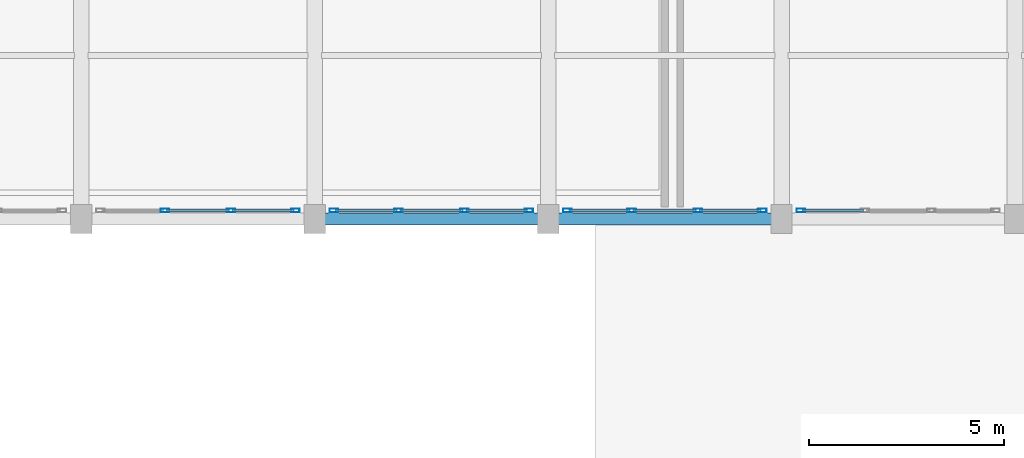
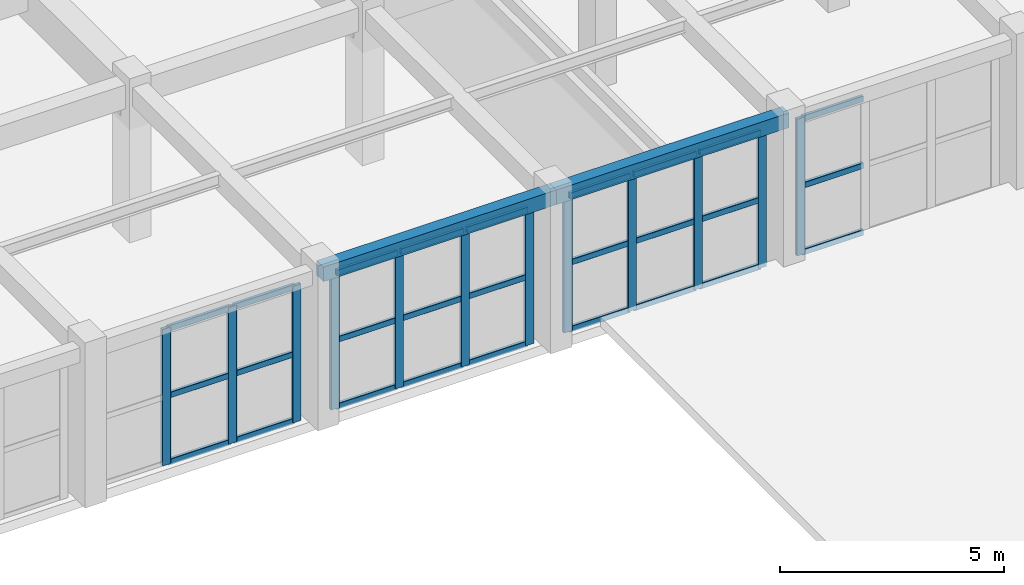
# One storey, part 45 of 92: 39 members, 2 beams, 4 elements without a shape of their own.
"""IFC4 building model written with IfcOpenShell, lengths in metres."""

from ifc_helpers import new_model, si_unit, direction, frame, origin, origin_2d, place, context, subcontext, project, spatial, rectangle, hollow_rectangle, extrude, material, layer, layer_set, material_profile, profile_set, type_object, element, aggregate, save


model = new_model("IFC4")

# Units and contexts
model_context = context("Model", 3, precision=1e-05, world=origin(), true_north=direction((0.0, 1.0)))
body_context = subcontext(model_context, "Body", "Model", "MODEL_VIEW")
ifc_project = project(units=[si_unit("LENGTHUNIT", "METRE"), si_unit("AREAUNIT", "SQUARE_METRE"), si_unit("VOLUMEUNIT", "CUBIC_METRE"), si_unit("PLANEANGLEUNIT", "RADIAN"), si_unit("MASSUNIT", "GRAM", prefix="KILO")], contexts=[model_context])

# Site, building, storey
site_placement = place(None, origin())
site = spatial("IfcSite", under=ifc_project, at=site_placement, CompositionType="ELEMENT")
building_placement = place(site_placement, origin())
building = spatial("IfcBuilding", under=site, at=building_placement, Name="Tarnavel Promenade Courthouse", CompositionType="ELEMENT")
storey_placement = place(building_placement, frame((0.0, 0.0, 5.39990234375)))
storey = spatial("IfcBuildingStorey", under=building, at=storey_placement, Name="L02", CompositionType="ELEMENT", Elevation=5.39990234375)

# Beams
ifc_material_1 = material(Name="Concrete C40/50", Category="concrete")
ifc_material_profile_1 = material_profile(ifc_material_1, rectangle(XDim=0.300048828125, YDim=0.39990234375, at=origin_2d()), Name="RC 300x400")
ifc_profile_set_1 = profile_set([ifc_material_profile_1], Name="Concrete C40/50")
beam_type = type_object("IfcBeamType", Name="Concrete C40/50 BM-SP-300x400 (RC 300x400)", PredefinedType="SPANDREL", material=ifc_profile_set_1)
for number, where, z_axis, x_axis, name in (
    (1, (132.0, 28.800048828125, 4.03515625), (1.0, 0.0, 0.0), (0.0, 1.0, 0.0), "L02 Primary Longitudinal Beam 1083"),
    (2, (138.0, 28.800048828125, 4.03515625), (1.0, 0.0, 0.0), (0.0, 1.0, 0.0), "L02 Primary Longitudinal Beam 1084"),
):
    element("IfcBeam", number, at=place(storey_placement, frame(where, z_axis=z_axis, x_axis=x_axis)), inside=storey, type_object=beam_type, Name=name, PredefinedType="SPANDREL", context=body_context, shape_type="SweptSolid", body=[
        extrude(rectangle(XDim=0.300048828125, YDim=0.39990234375, at=origin_2d()), origin(), (0.0, 0.0, 1.0), 6.0),
    ])

# Curtain wall, members
ifc_material_2 = material(Name="Thermally Broken Anodised Aluminium Curtain Wall System", Category="aluminium")
ifc_layer = layer(ifc_material_2, 0.199951171875)
ifc_layer_set = layer_set([ifc_layer], Name="Thermally Broken Anodised Aluminium Curtain Wall System")
curtain_wall_type = type_object("IfcCurtainWallType", Name="Thermally Broken Aluminium Triple-Glazed Curtain Wall CW-FOYER", PredefinedType="NOTDEFINED", material=ifc_layer_set)
curtain_wall_1_placement = place(storey_placement, origin())
curtain_wall_1 = element("IfcCurtainWall", 3, at=curtain_wall_1_placement, inside=storey, type_object=curtain_wall_type, Name="L02 Ceremonial Cloister Curtain Wall 168", PredefinedType="NOTDEFINED")
ifc_material_3 = material(Name="Thermally Broken Anodised Aluminium Frame", Category="aluminium")
ifc_material_profile_2 = material_profile(ifc_material_3, hollow_rectangle(XDim=0.090087890625, YDim=0.219970703125, WallThickness=0.0048828125, InnerFilletRadius=0.0048828125, OuterFilletRadius=0.010009765625, at=origin_2d()), Name="CWM 220x90x5")
ifc_profile_set_2 = profile_set([ifc_material_profile_2], Name="Thermally Broken Anodised Aluminium Frame")
member_type_1 = type_object("IfcMemberType", Name="Thermally Broken Anodised Aluminium CWM-175 (CWM 220x90x5)", PredefinedType="MULLION", material=ifc_profile_set_2)
member_1_placement = place(storey_placement, frame((128.14990234375, 29.02001953125, 0.0), z_axis=(0.0, 0.0, 1.0), x_axis=(0.0, 1.0, 0.0)))
member_1 = element("IfcMember", 4, at=member_1_placement, type_object=member_type_1, Name="CW-04 mullion 2", PredefinedType="MULLION", context=body_context, shape_type="SweptSolid", body=[
    extrude(hollow_rectangle(XDim=0.090087890625, YDim=0.219970703125, WallThickness=0.0048828125, InnerFilletRadius=0.0048828125, OuterFilletRadius=0.010009765625, at=origin_2d()), origin(), (0.0, 0.0, 1.0), 3.72021484375),
])
member_2_placement = place(storey_placement, frame((129.85009765625, 29.02001953125, 0.0), z_axis=(0.0, 0.0, 1.0), x_axis=(0.0, 1.0, 0.0)))
member_2 = element("IfcMember", 5, at=member_2_placement, type_object=member_type_1, Name="CW-04 mullion 3", PredefinedType="MULLION", context=body_context, shape_type="SweptSolid", body=[
    extrude(hollow_rectangle(XDim=0.090087890625, YDim=0.219970703125, WallThickness=0.0048828125, InnerFilletRadius=0.0048828125, OuterFilletRadius=0.010009765625, at=origin_2d()), origin(), (0.0, 0.0, 1.0), 3.72021484375),
])
member_3_placement = place(storey_placement, frame((131.5048828125, 29.02001953125, 0.0), z_axis=(0.0, 0.0, 1.0), x_axis=(0.0, 1.0, 0.0)))
member_3 = element("IfcMember", 6, at=member_3_placement, type_object=member_type_1, Name="CW-04 mullion 4", PredefinedType="MULLION", context=body_context, shape_type="SweptSolid", body=[
    extrude(hollow_rectangle(XDim=0.090087890625, YDim=0.219970703125, WallThickness=0.0048828125, InnerFilletRadius=0.0048828125, OuterFilletRadius=0.010009765625, at=origin_2d()), origin(), (0.0, 0.0, 1.0), 3.72021484375),
])

curtain_wall_2_placement = place(storey_placement, origin())
curtain_wall_2 = element("IfcCurtainWall", 7, at=curtain_wall_2_placement, inside=storey, type_object=curtain_wall_type, Name="L02 Ceremonial Cloister Curtain Wall 169", PredefinedType="NOTDEFINED")
member_4_placement = place(storey_placement, frame((132.4951171875, 29.02001953125, 0.0), z_axis=(0.0, 0.0, 1.0), x_axis=(0.0, 1.0, 0.0)))
member_4 = element("IfcMember", 8, at=member_4_placement, type_object=member_type_1, Name="CW-04 mullion 1", PredefinedType="MULLION", context=body_context, shape_type="SweptSolid", body=[
    extrude(hollow_rectangle(XDim=0.090087890625, YDim=0.219970703125, WallThickness=0.0048828125, InnerFilletRadius=0.0048828125, OuterFilletRadius=0.010009765625, at=origin_2d()), origin(), (0.0, 0.0, 1.0), 3.72021484375),
])
member_5_placement = place(storey_placement, frame((134.14990234375, 29.02001953125, 0.0), z_axis=(0.0, 0.0, 1.0), x_axis=(0.0, 1.0, 0.0)))
member_5 = element("IfcMember", 9, at=member_5_placement, type_object=member_type_1, Name="CW-04 mullion 2", PredefinedType="MULLION", context=body_context, shape_type="SweptSolid", body=[
    extrude(hollow_rectangle(XDim=0.090087890625, YDim=0.219970703125, WallThickness=0.0048828125, InnerFilletRadius=0.0048828125, OuterFilletRadius=0.010009765625, at=origin_2d()), origin(), (0.0, 0.0, 1.0), 3.72021484375),
])
member_6_placement = place(storey_placement, frame((135.85009765625, 29.02001953125, 0.0), z_axis=(0.0, 0.0, 1.0), x_axis=(0.0, 1.0, 0.0)))
member_6 = element("IfcMember", 10, at=member_6_placement, type_object=member_type_1, Name="CW-04 mullion 3", PredefinedType="MULLION", context=body_context, shape_type="SweptSolid", body=[
    extrude(hollow_rectangle(XDim=0.090087890625, YDim=0.219970703125, WallThickness=0.0048828125, InnerFilletRadius=0.0048828125, OuterFilletRadius=0.010009765625, at=origin_2d()), origin(), (0.0, 0.0, 1.0), 3.72021484375),
])
member_7_placement = place(storey_placement, frame((137.5048828125, 29.02001953125, 0.0), z_axis=(0.0, 0.0, 1.0), x_axis=(0.0, 1.0, 0.0)))
member_7 = element("IfcMember", 11, at=member_7_placement, type_object=member_type_1, Name="CW-04 mullion 4", PredefinedType="MULLION", context=body_context, shape_type="SweptSolid", body=[
    extrude(hollow_rectangle(XDim=0.090087890625, YDim=0.219970703125, WallThickness=0.0048828125, InnerFilletRadius=0.0048828125, OuterFilletRadius=0.010009765625, at=origin_2d()), origin(), (0.0, 0.0, 1.0), 3.72021484375),
])

curtain_wall_3_placement = place(storey_placement, origin())
curtain_wall_3 = element("IfcCurtainWall", 12, at=curtain_wall_3_placement, inside=storey, type_object=curtain_wall_type, Name="L02 Ceremonial Cloister Curtain Wall 170", PredefinedType="NOTDEFINED")
member_8_placement = place(storey_placement, frame((138.4951171875, 29.02001953125, 0.0), z_axis=(0.0, 0.0, 1.0), x_axis=(0.0, 1.0, 0.0)))
member_8 = element("IfcMember", 13, at=member_8_placement, type_object=member_type_1, Name="CW-04 mullion 1", PredefinedType="MULLION", context=body_context, shape_type="SweptSolid", body=[
    extrude(hollow_rectangle(XDim=0.090087890625, YDim=0.219970703125, WallThickness=0.0048828125, InnerFilletRadius=0.0048828125, OuterFilletRadius=0.010009765625, at=origin_2d()), origin(), (0.0, 0.0, 1.0), 3.72021484375),
])
member_9_placement = place(storey_placement, frame((140.14990234375, 29.02001953125, 0.0), z_axis=(0.0, 0.0, 1.0), x_axis=(0.0, 1.0, 0.0)))
member_9 = element("IfcMember", 14, at=member_9_placement, type_object=member_type_1, Name="CW-04 mullion 2", PredefinedType="MULLION", context=body_context, shape_type="SweptSolid", body=[
    extrude(hollow_rectangle(XDim=0.090087890625, YDim=0.219970703125, WallThickness=0.0048828125, InnerFilletRadius=0.0048828125, OuterFilletRadius=0.010009765625, at=origin_2d()), origin(), (0.0, 0.0, 1.0), 3.72021484375),
])
member_10_placement = place(storey_placement, frame((141.85009765625, 29.02001953125, 0.0), z_axis=(0.0, 0.0, 1.0), x_axis=(0.0, 1.0, 0.0)))
member_10 = element("IfcMember", 15, at=member_10_placement, type_object=member_type_1, Name="CW-04 mullion 3", PredefinedType="MULLION", context=body_context, shape_type="SweptSolid", body=[
    extrude(hollow_rectangle(XDim=0.090087890625, YDim=0.219970703125, WallThickness=0.0048828125, InnerFilletRadius=0.0048828125, OuterFilletRadius=0.010009765625, at=origin_2d()), origin(), (0.0, 0.0, 1.0), 3.72021484375),
])
member_11_placement = place(storey_placement, frame((143.5048828125, 29.02001953125, 0.0), z_axis=(0.0, 0.0, 1.0), x_axis=(0.0, 1.0, 0.0)))
member_11 = element("IfcMember", 16, at=member_11_placement, type_object=member_type_1, Name="CW-04 mullion 4", PredefinedType="MULLION", context=body_context, shape_type="SweptSolid", body=[
    extrude(hollow_rectangle(XDim=0.090087890625, YDim=0.219970703125, WallThickness=0.0048828125, InnerFilletRadius=0.0048828125, OuterFilletRadius=0.010009765625, at=origin_2d()), origin(), (0.0, 0.0, 1.0), 3.72021484375),
])

# Curtain wall, member
curtain_wall_4_placement = place(storey_placement, origin())
curtain_wall_4 = element("IfcCurtainWall", 17, at=curtain_wall_4_placement, inside=storey, type_object=curtain_wall_type, Name="L02 Ceremonial Cloister Curtain Wall 171", PredefinedType="NOTDEFINED")
member_12_placement = place(storey_placement, frame((144.4951171875, 29.02001953125, 0.0), z_axis=(0.0, 0.0, 1.0), x_axis=(0.0, 1.0, 0.0)))
member_12 = element("IfcMember", 18, at=member_12_placement, type_object=member_type_1, Name="CW-04 mullion 1", PredefinedType="MULLION", context=body_context, shape_type="SweptSolid", body=[
    extrude(hollow_rectangle(XDim=0.090087890625, YDim=0.219970703125, WallThickness=0.0048828125, InnerFilletRadius=0.0048828125, OuterFilletRadius=0.010009765625, at=origin_2d()), origin(), (0.0, 0.0, 1.0), 3.72021484375),
])

# Member
ifc_material_profile_3 = material_profile(ifc_material_3, hollow_rectangle(XDim=0.080078125, YDim=0.159912109375, WallThickness=0.0048828125, InnerFilletRadius=0.0048828125, OuterFilletRadius=0.010009765625, at=origin_2d()), Name="CWT 160x80x5")
ifc_profile_set_3 = profile_set([ifc_material_profile_3], Name="Thermally Broken Anodised Aluminium Frame")
member_type_2 = type_object("IfcMemberType", Name="Thermally Broken Anodised Aluminium CWT-145 (CWT 160x80x5)", PredefinedType="USERDEFINED", material=ifc_profile_set_3)
member_13_placement = place(storey_placement, frame((128.195068359375, 29.02001953125, 0.0400390625), z_axis=(1.0, 0.0, 0.0), x_axis=(0.0, 1.0, 0.0)))
member_13 = element("IfcMember", 19, at=member_13_placement, type_object=member_type_2, Name="CW-04 transom 2.1", ObjectType="TRANSOM", PredefinedType="USERDEFINED", context=body_context, shape_type="SweptSolid", body=[
    extrude(hollow_rectangle(XDim=0.080078125, YDim=0.159912109375, WallThickness=0.0048828125, InnerFilletRadius=0.0048828125, OuterFilletRadius=0.010009765625, at=origin_2d()), origin(), (0.0, 0.0, 1.0), 1.60986328125),
])

member_14_placement = place(storey_placement, frame((128.195068359375, 29.02001953125, 1.860107421875), z_axis=(1.0, 0.0, 0.0), x_axis=(0.0, 1.0, 0.0)))
member_14 = element("IfcMember", 20, at=member_14_placement, type_object=member_type_2, Name="CW-04 transom 2.2", ObjectType="TRANSOM", PredefinedType="USERDEFINED", context=body_context, shape_type="SweptSolid", body=[
    extrude(hollow_rectangle(XDim=0.080078125, YDim=0.159912109375, WallThickness=0.0048828125, InnerFilletRadius=0.0048828125, OuterFilletRadius=0.010009765625, at=origin_2d()), origin(), (0.0, 0.0, 1.0), 1.60986328125),
])

member_15_placement = place(storey_placement, frame((128.195068359375, 29.02001953125, 3.68017578125), z_axis=(1.0, 0.0, 0.0), x_axis=(0.0, 1.0, 0.0)))
member_15 = element("IfcMember", 21, at=member_15_placement, type_object=member_type_2, Name="CW-04 transom 2.3", ObjectType="TRANSOM", PredefinedType="USERDEFINED", context=body_context, shape_type="SweptSolid", body=[
    extrude(hollow_rectangle(XDim=0.080078125, YDim=0.159912109375, WallThickness=0.0048828125, InnerFilletRadius=0.0048828125, OuterFilletRadius=0.010009765625, at=origin_2d()), origin(), (0.0, 0.0, 1.0), 1.60986328125),
])

member_16_placement = place(storey_placement, frame((129.89501953125, 29.02001953125, 0.0400390625), z_axis=(1.0, 0.0, 0.0), x_axis=(0.0, 1.0, 0.0)))
member_16 = element("IfcMember", 22, at=member_16_placement, type_object=member_type_2, Name="CW-04 transom 3.1", ObjectType="TRANSOM", PredefinedType="USERDEFINED", context=body_context, shape_type="SweptSolid", body=[
    extrude(hollow_rectangle(XDim=0.080078125, YDim=0.159912109375, WallThickness=0.0048828125, InnerFilletRadius=0.0048828125, OuterFilletRadius=0.010009765625, at=origin_2d()), origin(), (0.0, 0.0, 1.0), 1.56494140625),
])

member_17_placement = place(storey_placement, frame((129.89501953125, 29.02001953125, 1.860107421875), z_axis=(1.0, 0.0, 0.0), x_axis=(0.0, 1.0, 0.0)))
member_17 = element("IfcMember", 23, at=member_17_placement, type_object=member_type_2, Name="CW-04 transom 3.2", ObjectType="TRANSOM", PredefinedType="USERDEFINED", context=body_context, shape_type="SweptSolid", body=[
    extrude(hollow_rectangle(XDim=0.080078125, YDim=0.159912109375, WallThickness=0.0048828125, InnerFilletRadius=0.0048828125, OuterFilletRadius=0.010009765625, at=origin_2d()), origin(), (0.0, 0.0, 1.0), 1.56494140625),
])

member_18_placement = place(storey_placement, frame((129.89501953125, 29.02001953125, 3.68017578125), z_axis=(1.0, 0.0, 0.0), x_axis=(0.0, 1.0, 0.0)))
member_18 = element("IfcMember", 24, at=member_18_placement, type_object=member_type_2, Name="CW-04 transom 3.3", ObjectType="TRANSOM", PredefinedType="USERDEFINED", context=body_context, shape_type="SweptSolid", body=[
    extrude(hollow_rectangle(XDim=0.080078125, YDim=0.159912109375, WallThickness=0.0048828125, InnerFilletRadius=0.0048828125, OuterFilletRadius=0.010009765625, at=origin_2d()), origin(), (0.0, 0.0, 1.0), 1.56494140625),
])

aggregate(curtain_wall_1, [member_1, member_2, member_3, member_13, member_14, member_15, member_16, member_17, member_18])

member_19_placement = place(storey_placement, frame((132.5400390625, 29.02001953125, 0.0400390625), z_axis=(1.0, 0.0, 0.0), x_axis=(0.0, 1.0, 0.0)))
member_19 = element("IfcMember", 25, at=member_19_placement, type_object=member_type_2, Name="CW-04 transom 1.1", ObjectType="TRANSOM", PredefinedType="USERDEFINED", context=body_context, shape_type="SweptSolid", body=[
    extrude(hollow_rectangle(XDim=0.080078125, YDim=0.159912109375, WallThickness=0.0048828125, InnerFilletRadius=0.0048828125, OuterFilletRadius=0.010009765625, at=origin_2d()), origin(), (0.0, 0.0, 1.0), 1.56494140625),
])

member_20_placement = place(storey_placement, frame((132.5400390625, 29.02001953125, 1.860107421875), z_axis=(1.0, 0.0, 0.0), x_axis=(0.0, 1.0, 0.0)))
member_20 = element("IfcMember", 26, at=member_20_placement, type_object=member_type_2, Name="CW-04 transom 1.2", ObjectType="TRANSOM", PredefinedType="USERDEFINED", context=body_context, shape_type="SweptSolid", body=[
    extrude(hollow_rectangle(XDim=0.080078125, YDim=0.159912109375, WallThickness=0.0048828125, InnerFilletRadius=0.0048828125, OuterFilletRadius=0.010009765625, at=origin_2d()), origin(), (0.0, 0.0, 1.0), 1.56494140625),
])

member_21_placement = place(storey_placement, frame((132.5400390625, 29.02001953125, 3.68017578125), z_axis=(1.0, 0.0, 0.0), x_axis=(0.0, 1.0, 0.0)))
member_21 = element("IfcMember", 27, at=member_21_placement, type_object=member_type_2, Name="CW-04 transom 1.3", ObjectType="TRANSOM", PredefinedType="USERDEFINED", context=body_context, shape_type="SweptSolid", body=[
    extrude(hollow_rectangle(XDim=0.080078125, YDim=0.159912109375, WallThickness=0.0048828125, InnerFilletRadius=0.0048828125, OuterFilletRadius=0.010009765625, at=origin_2d()), origin(), (0.0, 0.0, 1.0), 1.56494140625),
])

member_22_placement = place(storey_placement, frame((134.195068359375, 29.02001953125, 0.0400390625), z_axis=(1.0, 0.0, 0.0), x_axis=(0.0, 1.0, 0.0)))
member_22 = element("IfcMember", 28, at=member_22_placement, type_object=member_type_2, Name="CW-04 transom 2.1", ObjectType="TRANSOM", PredefinedType="USERDEFINED", context=body_context, shape_type="SweptSolid", body=[
    extrude(hollow_rectangle(XDim=0.080078125, YDim=0.159912109375, WallThickness=0.0048828125, InnerFilletRadius=0.0048828125, OuterFilletRadius=0.010009765625, at=origin_2d()), origin(), (0.0, 0.0, 1.0), 1.60986328125),
])

member_23_placement = place(storey_placement, frame((134.195068359375, 29.02001953125, 1.860107421875), z_axis=(1.0, 0.0, 0.0), x_axis=(0.0, 1.0, 0.0)))
member_23 = element("IfcMember", 29, at=member_23_placement, type_object=member_type_2, Name="CW-04 transom 2.2", ObjectType="TRANSOM", PredefinedType="USERDEFINED", context=body_context, shape_type="SweptSolid", body=[
    extrude(hollow_rectangle(XDim=0.080078125, YDim=0.159912109375, WallThickness=0.0048828125, InnerFilletRadius=0.0048828125, OuterFilletRadius=0.010009765625, at=origin_2d()), origin(), (0.0, 0.0, 1.0), 1.60986328125),
])

member_24_placement = place(storey_placement, frame((134.195068359375, 29.02001953125, 3.68017578125), z_axis=(1.0, 0.0, 0.0), x_axis=(0.0, 1.0, 0.0)))
member_24 = element("IfcMember", 30, at=member_24_placement, type_object=member_type_2, Name="CW-04 transom 2.3", ObjectType="TRANSOM", PredefinedType="USERDEFINED", context=body_context, shape_type="SweptSolid", body=[
    extrude(hollow_rectangle(XDim=0.080078125, YDim=0.159912109375, WallThickness=0.0048828125, InnerFilletRadius=0.0048828125, OuterFilletRadius=0.010009765625, at=origin_2d()), origin(), (0.0, 0.0, 1.0), 1.60986328125),
])

member_25_placement = place(storey_placement, frame((135.89501953125, 29.02001953125, 0.0400390625), z_axis=(1.0, 0.0, 0.0), x_axis=(0.0, 1.0, 0.0)))
member_25 = element("IfcMember", 31, at=member_25_placement, type_object=member_type_2, Name="CW-04 transom 3.1", ObjectType="TRANSOM", PredefinedType="USERDEFINED", context=body_context, shape_type="SweptSolid", body=[
    extrude(hollow_rectangle(XDim=0.080078125, YDim=0.159912109375, WallThickness=0.0048828125, InnerFilletRadius=0.0048828125, OuterFilletRadius=0.010009765625, at=origin_2d()), origin(), (0.0, 0.0, 1.0), 1.56494140625),
])

member_26_placement = place(storey_placement, frame((135.89501953125, 29.02001953125, 1.860107421875), z_axis=(1.0, 0.0, 0.0), x_axis=(0.0, 1.0, 0.0)))
member_26 = element("IfcMember", 32, at=member_26_placement, type_object=member_type_2, Name="CW-04 transom 3.2", ObjectType="TRANSOM", PredefinedType="USERDEFINED", context=body_context, shape_type="SweptSolid", body=[
    extrude(hollow_rectangle(XDim=0.080078125, YDim=0.159912109375, WallThickness=0.0048828125, InnerFilletRadius=0.0048828125, OuterFilletRadius=0.010009765625, at=origin_2d()), origin(), (0.0, 0.0, 1.0), 1.56494140625),
])

member_27_placement = place(storey_placement, frame((135.89501953125, 29.02001953125, 3.68017578125), z_axis=(1.0, 0.0, 0.0), x_axis=(0.0, 1.0, 0.0)))
member_27 = element("IfcMember", 33, at=member_27_placement, type_object=member_type_2, Name="CW-04 transom 3.3", ObjectType="TRANSOM", PredefinedType="USERDEFINED", context=body_context, shape_type="SweptSolid", body=[
    extrude(hollow_rectangle(XDim=0.080078125, YDim=0.159912109375, WallThickness=0.0048828125, InnerFilletRadius=0.0048828125, OuterFilletRadius=0.010009765625, at=origin_2d()), origin(), (0.0, 0.0, 1.0), 1.56494140625),
])

aggregate(curtain_wall_2, [member_4, member_5, member_6, member_7, member_19, member_20, member_21, member_22, member_23, member_24, member_25, member_26, member_27])

member_28_placement = place(storey_placement, frame((138.5400390625, 29.02001953125, 0.0400390625), z_axis=(1.0, 0.0, 0.0), x_axis=(0.0, 1.0, 0.0)))
member_28 = element("IfcMember", 34, at=member_28_placement, type_object=member_type_2, Name="CW-04 transom 1.1", ObjectType="TRANSOM", PredefinedType="USERDEFINED", context=body_context, shape_type="SweptSolid", body=[
    extrude(hollow_rectangle(XDim=0.080078125, YDim=0.159912109375, WallThickness=0.0048828125, InnerFilletRadius=0.0048828125, OuterFilletRadius=0.010009765625, at=origin_2d()), origin(), (0.0, 0.0, 1.0), 1.56494140625),
])

member_29_placement = place(storey_placement, frame((138.5400390625, 29.02001953125, 1.860107421875), z_axis=(1.0, 0.0, 0.0), x_axis=(0.0, 1.0, 0.0)))
member_29 = element("IfcMember", 35, at=member_29_placement, type_object=member_type_2, Name="CW-04 transom 1.2", ObjectType="TRANSOM", PredefinedType="USERDEFINED", context=body_context, shape_type="SweptSolid", body=[
    extrude(hollow_rectangle(XDim=0.080078125, YDim=0.159912109375, WallThickness=0.0048828125, InnerFilletRadius=0.0048828125, OuterFilletRadius=0.010009765625, at=origin_2d()), origin(), (0.0, 0.0, 1.0), 1.56494140625),
])

member_30_placement = place(storey_placement, frame((138.5400390625, 29.02001953125, 3.68017578125), z_axis=(1.0, 0.0, 0.0), x_axis=(0.0, 1.0, 0.0)))
member_30 = element("IfcMember", 36, at=member_30_placement, type_object=member_type_2, Name="CW-04 transom 1.3", ObjectType="TRANSOM", PredefinedType="USERDEFINED", context=body_context, shape_type="SweptSolid", body=[
    extrude(hollow_rectangle(XDim=0.080078125, YDim=0.159912109375, WallThickness=0.0048828125, InnerFilletRadius=0.0048828125, OuterFilletRadius=0.010009765625, at=origin_2d()), origin(), (0.0, 0.0, 1.0), 1.56494140625),
])

member_31_placement = place(storey_placement, frame((140.195068359375, 29.02001953125, 0.0400390625), z_axis=(1.0, 0.0, 0.0), x_axis=(0.0, 1.0, 0.0)))
member_31 = element("IfcMember", 37, at=member_31_placement, type_object=member_type_2, Name="CW-04 transom 2.1", ObjectType="TRANSOM", PredefinedType="USERDEFINED", context=body_context, shape_type="SweptSolid", body=[
    extrude(hollow_rectangle(XDim=0.080078125, YDim=0.159912109375, WallThickness=0.0048828125, InnerFilletRadius=0.0048828125, OuterFilletRadius=0.010009765625, at=origin_2d()), origin(), (0.0, 0.0, 1.0), 1.60986328125),
])

member_32_placement = place(storey_placement, frame((140.195068359375, 29.02001953125, 1.860107421875), z_axis=(1.0, 0.0, 0.0), x_axis=(0.0, 1.0, 0.0)))
member_32 = element("IfcMember", 38, at=member_32_placement, type_object=member_type_2, Name="CW-04 transom 2.2", ObjectType="TRANSOM", PredefinedType="USERDEFINED", context=body_context, shape_type="SweptSolid", body=[
    extrude(hollow_rectangle(XDim=0.080078125, YDim=0.159912109375, WallThickness=0.0048828125, InnerFilletRadius=0.0048828125, OuterFilletRadius=0.010009765625, at=origin_2d()), origin(), (0.0, 0.0, 1.0), 1.60986328125),
])

member_33_placement = place(storey_placement, frame((140.195068359375, 29.02001953125, 3.68017578125), z_axis=(1.0, 0.0, 0.0), x_axis=(0.0, 1.0, 0.0)))
member_33 = element("IfcMember", 39, at=member_33_placement, type_object=member_type_2, Name="CW-04 transom 2.3", ObjectType="TRANSOM", PredefinedType="USERDEFINED", context=body_context, shape_type="SweptSolid", body=[
    extrude(hollow_rectangle(XDim=0.080078125, YDim=0.159912109375, WallThickness=0.0048828125, InnerFilletRadius=0.0048828125, OuterFilletRadius=0.010009765625, at=origin_2d()), origin(), (0.0, 0.0, 1.0), 1.60986328125),
])

member_34_placement = place(storey_placement, frame((141.89501953125, 29.02001953125, 0.0400390625), z_axis=(1.0, 0.0, 0.0), x_axis=(0.0, 1.0, 0.0)))
member_34 = element("IfcMember", 40, at=member_34_placement, type_object=member_type_2, Name="CW-04 transom 3.1", ObjectType="TRANSOM", PredefinedType="USERDEFINED", context=body_context, shape_type="SweptSolid", body=[
    extrude(hollow_rectangle(XDim=0.080078125, YDim=0.159912109375, WallThickness=0.0048828125, InnerFilletRadius=0.0048828125, OuterFilletRadius=0.010009765625, at=origin_2d()), origin(), (0.0, 0.0, 1.0), 1.56494140625),
])

member_35_placement = place(storey_placement, frame((141.89501953125, 29.02001953125, 1.860107421875), z_axis=(1.0, 0.0, 0.0), x_axis=(0.0, 1.0, 0.0)))
member_35 = element("IfcMember", 41, at=member_35_placement, type_object=member_type_2, Name="CW-04 transom 3.2", ObjectType="TRANSOM", PredefinedType="USERDEFINED", context=body_context, shape_type="SweptSolid", body=[
    extrude(hollow_rectangle(XDim=0.080078125, YDim=0.159912109375, WallThickness=0.0048828125, InnerFilletRadius=0.0048828125, OuterFilletRadius=0.010009765625, at=origin_2d()), origin(), (0.0, 0.0, 1.0), 1.56494140625),
])

member_36_placement = place(storey_placement, frame((141.89501953125, 29.02001953125, 3.68017578125), z_axis=(1.0, 0.0, 0.0), x_axis=(0.0, 1.0, 0.0)))
member_36 = element("IfcMember", 42, at=member_36_placement, type_object=member_type_2, Name="CW-04 transom 3.3", ObjectType="TRANSOM", PredefinedType="USERDEFINED", context=body_context, shape_type="SweptSolid", body=[
    extrude(hollow_rectangle(XDim=0.080078125, YDim=0.159912109375, WallThickness=0.0048828125, InnerFilletRadius=0.0048828125, OuterFilletRadius=0.010009765625, at=origin_2d()), origin(), (0.0, 0.0, 1.0), 1.56494140625),
])

aggregate(curtain_wall_3, [member_8, member_9, member_10, member_11, member_28, member_29, member_30, member_31, member_32, member_33, member_34, member_35, member_36])

member_37_placement = place(storey_placement, frame((144.5400390625, 29.02001953125, 0.0400390625), z_axis=(1.0, 0.0, 0.0), x_axis=(0.0, 1.0, 0.0)))
member_37 = element("IfcMember", 43, at=member_37_placement, type_object=member_type_2, Name="CW-04 transom 1.1", ObjectType="TRANSOM", PredefinedType="USERDEFINED", context=body_context, shape_type="SweptSolid", body=[
    extrude(hollow_rectangle(XDim=0.080078125, YDim=0.159912109375, WallThickness=0.0048828125, InnerFilletRadius=0.0048828125, OuterFilletRadius=0.010009765625, at=origin_2d()), origin(), (0.0, 0.0, 1.0), 1.56494140625),
])

member_38_placement = place(storey_placement, frame((144.5400390625, 29.02001953125, 1.860107421875), z_axis=(1.0, 0.0, 0.0), x_axis=(0.0, 1.0, 0.0)))
member_38 = element("IfcMember", 44, at=member_38_placement, type_object=member_type_2, Name="CW-04 transom 1.2", ObjectType="TRANSOM", PredefinedType="USERDEFINED", context=body_context, shape_type="SweptSolid", body=[
    extrude(hollow_rectangle(XDim=0.080078125, YDim=0.159912109375, WallThickness=0.0048828125, InnerFilletRadius=0.0048828125, OuterFilletRadius=0.010009765625, at=origin_2d()), origin(), (0.0, 0.0, 1.0), 1.56494140625),
])

member_39_placement = place(storey_placement, frame((144.5400390625, 29.02001953125, 3.68017578125), z_axis=(1.0, 0.0, 0.0), x_axis=(0.0, 1.0, 0.0)))
member_39 = element("IfcMember", 45, at=member_39_placement, type_object=member_type_2, Name="CW-04 transom 1.3", ObjectType="TRANSOM", PredefinedType="USERDEFINED", context=body_context, shape_type="SweptSolid", body=[
    extrude(hollow_rectangle(XDim=0.080078125, YDim=0.159912109375, WallThickness=0.0048828125, InnerFilletRadius=0.0048828125, OuterFilletRadius=0.010009765625, at=origin_2d()), origin(), (0.0, 0.0, 1.0), 1.56494140625),
])

aggregate(curtain_wall_4, [member_12, member_37, member_38, member_39])

save(model, "model.ifc")
